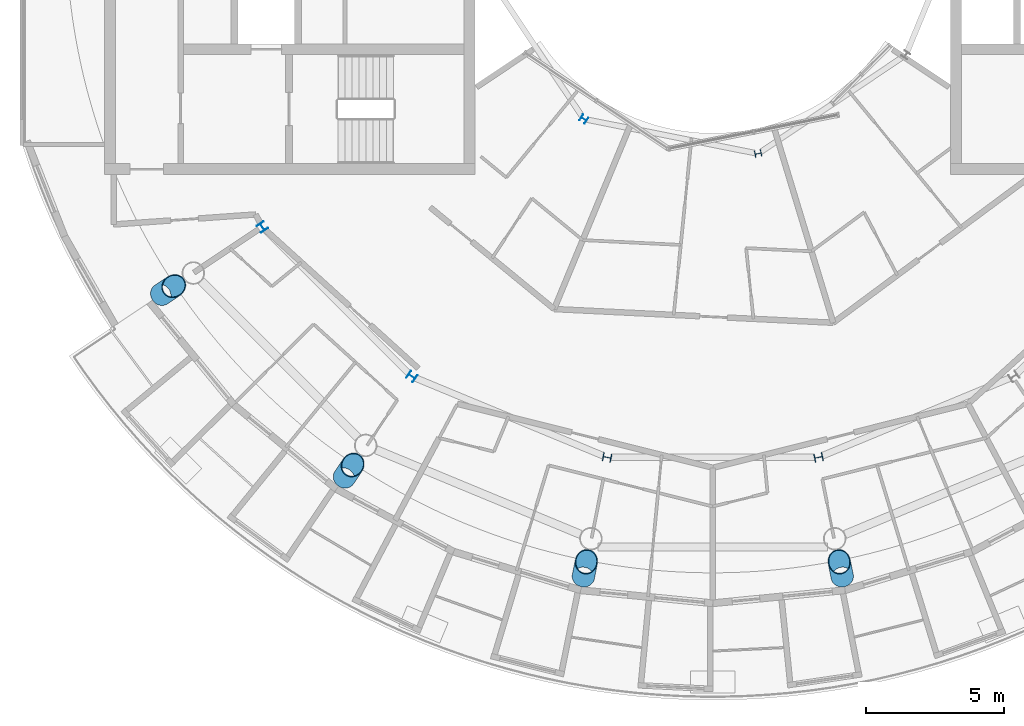
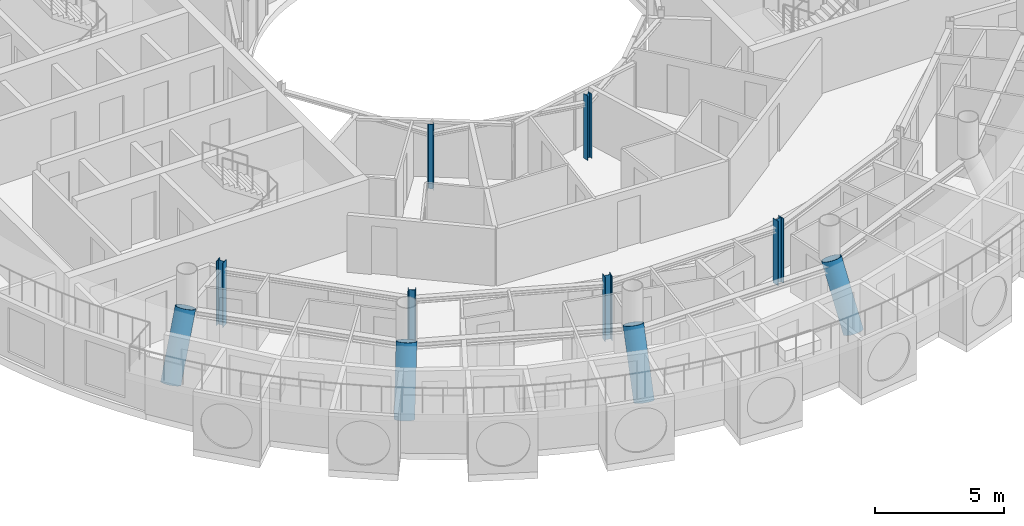
# One storey, part 1 of 25: 10 columns.
"""IFC4 building model written with IfcOpenShell, lengths in metres."""

from ifc_helpers import new_model, si_unit, direction, frame, origin, origin_2d, place, context, subcontext, project, spatial, hollow_circle, i_section, extrude, material, material_profile, profile_set, type_object, element, save


model = new_model("IFC4")

# Units and contexts
model_context = context("Model", 3, precision=1e-05, world=origin(), true_north=direction((0.0, 1.0)))
body_context = subcontext(model_context, "Body", "Model", "MODEL_VIEW")
ifc_project = project(units=[si_unit("LENGTHUNIT", "METRE"), si_unit("AREAUNIT", "SQUARE_METRE"), si_unit("VOLUMEUNIT", "CUBIC_METRE"), si_unit("PLANEANGLEUNIT", "RADIAN"), si_unit("MASSUNIT", "GRAM", prefix="KILO")], contexts=[model_context])

# Site, building, storey
site_placement = place(None, origin())
site = spatial("IfcSite", under=ifc_project, at=site_placement, CompositionType="ELEMENT")
building_placement = place(site_placement, origin())
building = spatial("IfcBuilding", under=site, at=building_placement, Name="Maasbend Ring Residences", CompositionType="ELEMENT")
storey_placement = place(building_placement, frame((0.0, 0.0, 246.25)))
storey = spatial("IfcBuildingStorey", under=building, at=storey_placement, Name="L71", CompositionType="ELEMENT", Elevation=246.25)

# Columns
ifc_material_1 = material(Name="Composite concrete-filled steel tube S460NH / C80/95", Category="concrete")
ifc_material_profile_1 = material_profile(ifc_material_1, hollow_circle(Radius=0.406494140625, WallThickness=0.030029296875, at=origin_2d()), Name="Composite tube column CHS 813x30")
ifc_profile_set_1 = profile_set([ifc_material_profile_1], Name="Composite concrete-filled steel tube S460NH / C80/95")
column_type_1 = type_object("IfcColumnType", Name="Composite tube column CHS 813x30", PredefinedType="COLUMN", material=ifc_profile_set_1)
for number, where, z_axis, x_axis, name in (
    (1, (-19.955322265625, -13.333740234375, 0.0), (0.346819263352, 0.231767499499, 0.908845545043), (-0.555620411262, 0.831436082083, 0.0), "Outer column R10"),
    (2, (-13.333740234375, -19.955322265625, 0.0), (0.231767499499, 0.346819263352, 0.908845545043), (-0.831436082083, 0.555620411262, 0.0), "Outer column R11"),
    (3, (-4.68212890625, -23.538818359375, 0.0), (0.081376771682, 0.40910250457, 0.90885255228), (-0.980784718923, 0.195093144748, 0.0), "Outer column R12"),
    (4, (4.68212890625, -23.538818359375, 0.0), (-0.081376771682, 0.40910250457, 0.90885255228), (-0.980784718923, -0.195093144748, 0.0), "Outer column R13"),
):
    element("IfcColumn", number, at=place(storey_placement, frame(where, z_axis=z_axis, x_axis=x_axis)), inside=storey, type_object=column_type_1, Name=name, PredefinedType="COLUMN", context=body_context, shape_type="SweptSolid", body=[
        extrude(hollow_circle(Radius=0.406494140625, WallThickness=0.030029296875, at=origin_2d()), origin(), (0.0, 0.0, 1.0), 3.0810546875),
    ])
ifc_material_2 = material(Name="Steel S355J2", Category="steel")
ifc_material_profile_2 = material_profile(ifc_material_2, i_section(OverallWidth=0.239990234375, OverallDepth=0.22998046875, WebThickness=0.007568359375, FlangeThickness=0.011962890625, FilletRadius=0.02099609375, at=origin_2d()), Name="HEA 240")
ifc_profile_set_2 = profile_set([ifc_material_profile_2], Name="Steel S355J2")
column_type_2 = type_object("IfcColumnType", Name="Steel column HEA 240", PredefinedType="COLUMN", material=ifc_profile_set_2)
for number, where, z_axis, x_axis, name in (
    (5, (-4.666748046875, -6.984375, 0.0), (0.0, 0.0, 1.0), (-0.55557023302, -0.831469612303, 0.0), "Well ring column R11"),
    (6, (1.638916015625, -8.238525390625, 0.0), (0.0, 0.0, 1.0), (0.195090322016, -0.980785280403, 0.0), "Well ring column R13"),
):
    element("IfcColumn", number, at=place(storey_placement, frame(where, z_axis=z_axis, x_axis=x_axis)), inside=storey, type_object=column_type_2, Name=name, PredefinedType="COLUMN", context=body_context, shape_type="SweptSolid", body=[
        extrude(i_section(OverallWidth=0.239990234375, OverallDepth=0.22998046875, WebThickness=0.007568359375, FlangeThickness=0.011962890625, FilletRadius=0.02099609375, at=origin_2d()), origin(), (0.0, 0.0, 1.0), 3.050048828125),
    ])
ifc_material_3 = material(Name="Steel S355J2", Category="steel")
ifc_material_profile_3 = material_profile(ifc_material_3, i_section(OverallWidth=0.300048828125, OverallDepth=0.300048828125, WebThickness=0.010986328125, FlangeThickness=0.01904296875, FilletRadius=0.027099609375, at=origin_2d()), Name="HEB 300")
ifc_profile_set_3 = profile_set([ifc_material_profile_3], Name="Steel S355J2")
column_type_3 = type_object("IfcColumnType", Name="Steel column HEB 300", PredefinedType="COLUMN", material=ifc_profile_set_3)
for number, where, z_axis, x_axis, name in (
    (7, (-16.296875, -10.88916015625, 0.0), (0.0, 0.0, 1.0), (-0.831469612303, -0.55557023302, 0.0), "Corridor ring column R10"),
    (8, (-10.88916015625, -16.296875, 0.0), (0.0, 0.0, 1.0), (-0.55557023302, -0.831469612303, 0.0), "Corridor ring column R11"),
    (9, (-3.82373046875, -19.223388671875, 0.0), (0.0, 0.0, 1.0), (-0.195090322016, -0.980785280403, 0.0), "Corridor ring column R12"),
    (10, (3.82373046875, -19.223388671875, 0.0), (0.0, 0.0, 1.0), (0.195090322016, -0.980785280403, 0.0), "Corridor ring column R13"),
):
    element("IfcColumn", number, at=place(storey_placement, frame(where, z_axis=z_axis, x_axis=x_axis)), inside=storey, type_object=column_type_3, Name=name, PredefinedType="COLUMN", context=body_context, shape_type="SweptSolid", body=[
        extrude(i_section(OverallWidth=0.300048828125, OverallDepth=0.300048828125, WebThickness=0.010986328125, FlangeThickness=0.01904296875, FilletRadius=0.027099609375, at=origin_2d()), origin(), (0.0, 0.0, 1.0), 3.050048828125),
    ])

save(model, "model.ifc")
